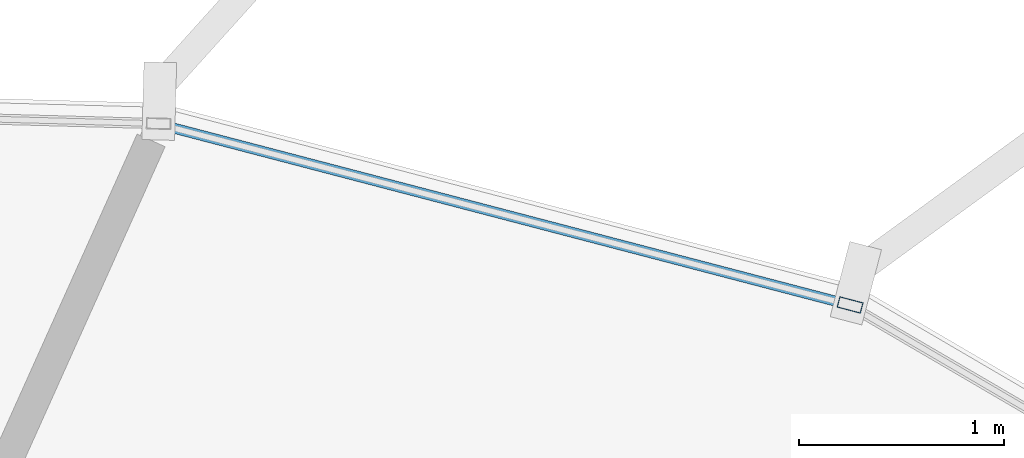
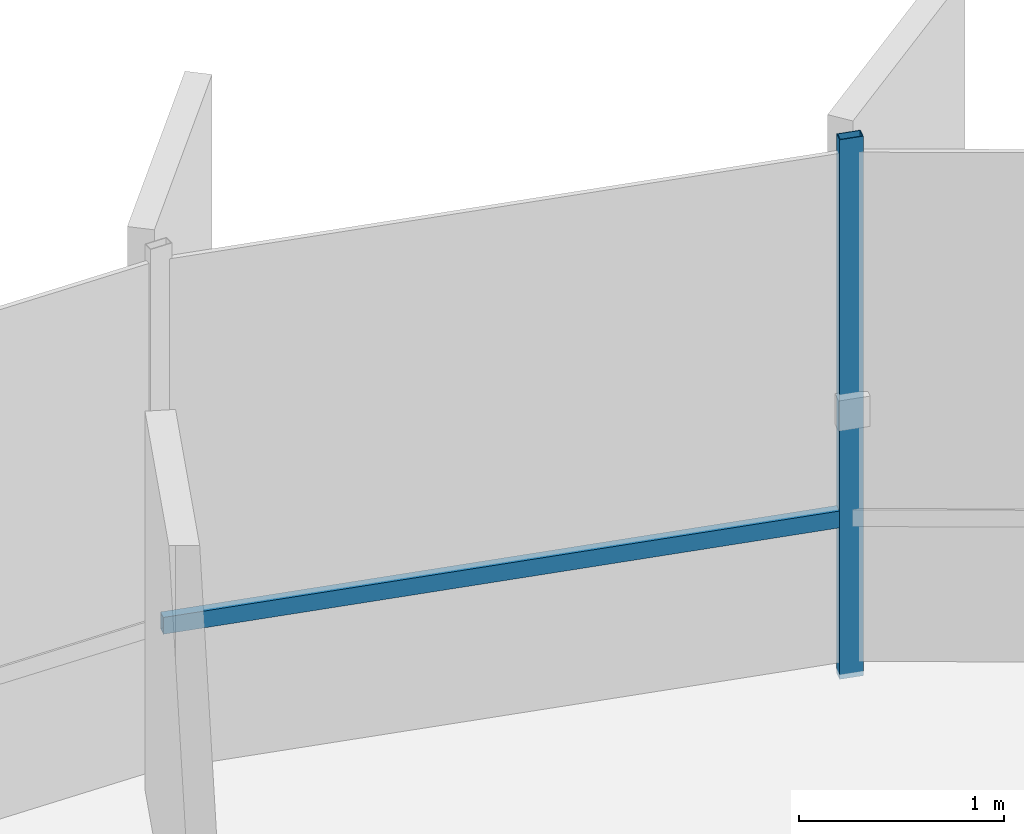
# One storey, part 27 of 36: 2 members, 1 element without a shape of its own.
"""IFC4 building model written with IfcOpenShell, lengths in metres."""

from ifc_helpers import new_model, si_unit, direction, frame, origin, origin_2d, place, context, subcontext, project, spatial, hollow_rectangle, extrude, source, transform, mapped, material, layer, layer_set, material_profile, profile_set, type_object, element, aggregate, save


model = new_model("IFC4")

# Units and contexts
model_context = context("Model", 3, precision=1e-05, world=origin(), true_north=direction((0.0, 1.0)))
body_context = subcontext(model_context, "Body", "Model", "MODEL_VIEW")
ifc_project = project(units=[si_unit("LENGTHUNIT", "METRE"), si_unit("AREAUNIT", "SQUARE_METRE"), si_unit("VOLUMEUNIT", "CUBIC_METRE"), si_unit("PLANEANGLEUNIT", "RADIAN"), si_unit("MASSUNIT", "GRAM", prefix="KILO"), si_unit("THERMODYNAMICTEMPERATUREUNIT", "KELVIN")], contexts=[model_context])

# Site, building, storey
site_placement = place(None, origin())
site = spatial("IfcSite", under=ifc_project, at=site_placement, CompositionType="ELEMENT")
building_placement = place(site_placement, origin())
building = spatial("IfcBuilding", under=site, at=building_placement, Name="Kethvar Cultural Tower", CompositionType="ELEMENT")
storey_placement = place(building_placement, frame((0.0, 0.0, 242.199951171875)))
storey = spatial("IfcBuildingStorey", under=building, at=storey_placement, Name="L63", CompositionType="ELEMENT", Elevation=242.199951171875)

# Curtain wall, members
ifc_material = material(Name="Aluminium 6063-T6", Category="aluminium")
ifc_layer = layer(ifc_material, 0.179931640625, Name="Aluminium 6063-T6", Category="aluminium")
ifc_layer_set = layer_set([ifc_layer], Name="Aluminium 6063-T6 (180 mm)")
curtain_wall_type = type_object("IfcCurtainWallType", Name="CW-SYS-05-Z56", PredefinedType="NOTDEFINED", material=ifc_layer_set)
curtain_wall_placement = place(storey_placement, origin())
curtain_wall = element("IfcCurtainWall", 1, at=curtain_wall_placement, inside=storey, type_object=curtain_wall_type, Name="L63 Curtain Wall Run 01", PredefinedType="NOTDEFINED")
ifc_material_profile_1 = material_profile(ifc_material, hollow_rectangle(XDim=0.054931640625, YDim=0.1201171875, WallThickness=0.00390625, at=origin_2d()), Name="Aluminium 6063-T6 — RHS120x55x4")
ifc_profile_set_1 = profile_set([ifc_material_profile_1], Name="Aluminium 6063-T6 — RHS120x55x4")
member_type_1 = type_object("IfcMemberType", Name="CW-SYS-05-Z56-MUL", PredefinedType="MULLION", material=ifc_profile_set_1)
shared_shape_1 = source(origin(), body_context, "Body", "SweptSolid", [
    extrude(hollow_rectangle(XDim=0.054931640625, YDim=0.1201171875, WallThickness=0.00390625, at=origin_2d()), origin(), (0.0, 0.0, 1.0), 3.2099609375),
])
member_1_placement = place(storey_placement, frame((60.684814453125, 50.3642578125, 0.0), z_axis=(0.0, 0.0, 1.0), x_axis=(-0.252998176081, -0.967466755449, 0.0)))
member_1 = element("IfcMember", 2, at=member_1_placement, type_object=member_type_1, Name="CW-L63-R01 Mullion 2", PredefinedType="MULLION", context=body_context, shape_type="MappedRepresentation", body=[
    mapped(shared_shape_1, transform((0.0, 0.0, 0.0), scale=1.0)),
])
ifc_material_profile_2 = material_profile(ifc_material, hollow_rectangle(XDim=0.050048828125, YDim=0.10009765625, WallThickness=0.00390625, at=origin_2d()), Name="Aluminium 6063-T6 — RHS100x50x4")
ifc_profile_set_2 = profile_set([ifc_material_profile_2], Name="Aluminium 6063-T6 — RHS100x50x4")
member_type_2 = type_object("IfcMemberType", Name="CW-SYS-05-Z56-TRN", PredefinedType="USERDEFINED", material=ifc_profile_set_2)
shared_shape_2 = source(origin(), body_context, "Body", "SweptSolid", [
    extrude(hollow_rectangle(XDim=0.050048828125, YDim=0.10009765625, WallThickness=0.00390625, at=origin_2d()), origin(), (0.0, 0.0, 1.0), 3.43798828125),
])
member_2_placement = place(storey_placement, frame((60.646484375, 50.374267578125, 0.949951171875), z_axis=(-0.967479879632, 0.252947983797, 0.0), x_axis=(-0.252947983797, -0.967479879632, 0.0)))
member_2 = element("IfcMember", 3, at=member_2_placement, type_object=member_type_2, Name="CW-L63-R01 Transom 2", ObjectType="TRANSOM", PredefinedType="USERDEFINED", context=body_context, shape_type="MappedRepresentation", body=[
    mapped(shared_shape_2, transform((0.0, 0.0, 0.0), scale=1.0)),
])
aggregate(curtain_wall, [member_1, member_2])

save(model, "model.ifc")
